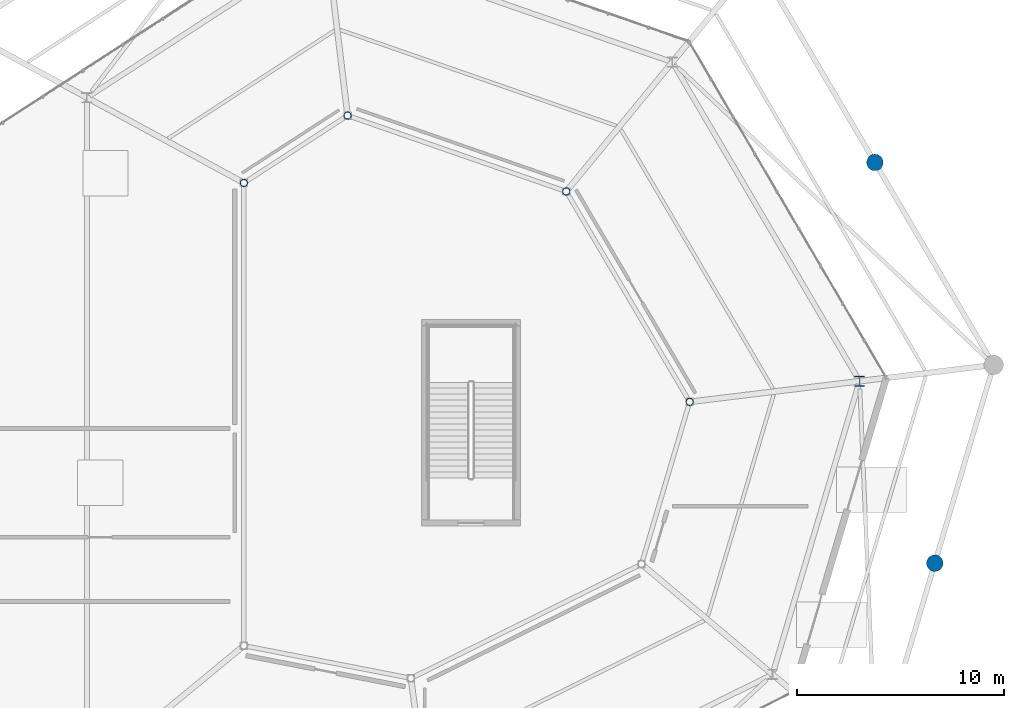
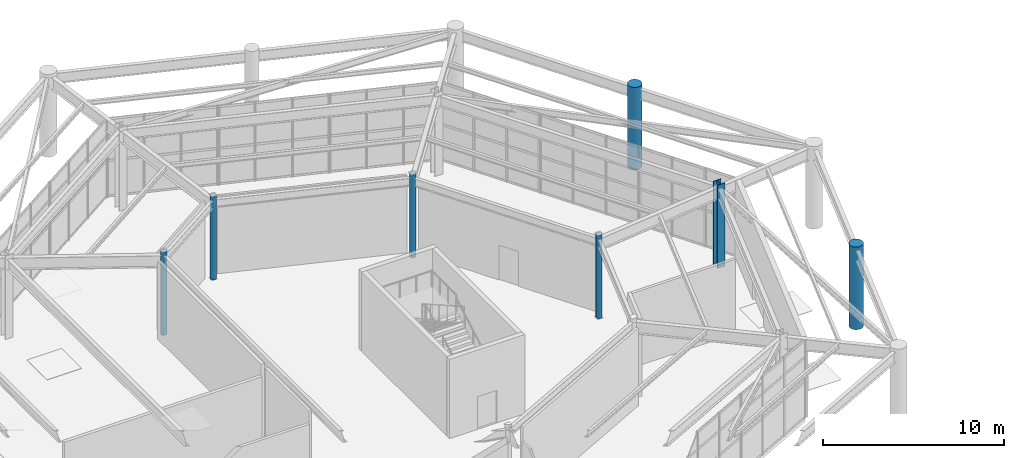
# One storey, part 16 of 70: 7 columns.
"""IFC4 building model written with IfcOpenShell, lengths in metres."""

from ifc_helpers import new_model, si_unit, direction, frame, origin, origin_2d, place, context, subcontext, project, spatial, circle, hollow_circle, i_section, extrude, material, material_profile, profile_set, type_object, element, save


model = new_model("IFC4")

# Units and contexts
model_context = context("Model", 3, precision=1e-05, world=origin(), true_north=direction((0.0, 1.0)))
body_context = subcontext(model_context, "Body", "Model", "MODEL_VIEW")
ifc_project = project(units=[si_unit("LENGTHUNIT", "METRE"), si_unit("AREAUNIT", "SQUARE_METRE"), si_unit("VOLUMEUNIT", "CUBIC_METRE"), si_unit("PLANEANGLEUNIT", "RADIAN"), si_unit("MASSUNIT", "GRAM", prefix="KILO")], contexts=[model_context])

# Site, building, storey
site_placement = place(None, origin())
site = spatial("IfcSite", under=ifc_project, at=site_placement, CompositionType="ELEMENT")
building_placement = place(site_placement, origin())
building = spatial("IfcBuilding", under=site, at=building_placement, Name="Sarnbrook Museum", CompositionType="ELEMENT")
storey_placement = place(building_placement, origin())
storey = spatial("IfcBuildingStorey", under=building, at=storey_placement, Name="L00", CompositionType="ELEMENT", Elevation=0.0)

# Columns
ifc_material_1 = material(Name="Structural Steel Hollow Section Grade C350L0 (AS/NZS 1163, fy = 350 MPa)", Category="steel")
ifc_material_profile_1 = material_profile(ifc_material_1, hollow_circle(Radius=0.177734375, WallThickness=0.0126953125, at=origin_2d()), Name="355.6x12.7CHS")
ifc_profile_set_1 = profile_set([ifc_material_profile_1], Name="Structural Steel Hollow Section Grade C350L0 (AS/NZS 1163, fy = 350 MPa)")
column_type_1 = type_object("IfcColumnType", Name="COL-CHS355", PredefinedType="COLUMN", material=ifc_profile_set_1)
for number, where, z_axis, x_axis, name in (
    (1, (154.382080078125, 86.210205078125, 0.0), (0.0, 0.0, 1.0), (1.0, 0.0, 0.0), "Crystal Gallery Feature Column R2-4 L00"),
    (2, (148.40576171875, 96.39599609375, 0.0), (0.0, 0.0, 1.0), (1.0, 0.0, 0.0), "Crystal Gallery Feature Column R2-5 L00"),
    (3, (137.822509765625, 100.07080078125, 0.0), (0.0, 0.0, 1.0), (1.0, 0.0, 0.0), "Crystal Gallery Feature Column R2-6 L00"),
    (4, (132.800048828125, 96.81201171875, 0.0), (0.0, 0.0, 1.0), (1.0, 0.0, 0.0), "Crystal Gallery Feature Column R2-7 L00"),
):
    element("IfcColumn", number, at=place(storey_placement, frame(where, z_axis=z_axis, x_axis=x_axis)), inside=storey, type_object=column_type_1, Name=name, PredefinedType="COLUMN", context=body_context, shape_type="SweptSolid", body=[
        extrude(hollow_circle(Radius=0.177734375, WallThickness=0.0126953125, at=origin_2d()), origin(), (0.0, 0.0, 1.0), 5.60009765625),
    ])
ifc_material_2 = material(Name="Concrete N50 (AS 3600, f'c = 50 MPa)", Category="concrete")
ifc_material_profile_2 = material_profile(ifc_material_2, circle(Radius=0.39990234375, at=origin_2d()), Name="DORIC D800")
ifc_profile_set_2 = profile_set([ifc_material_profile_2], Name="Concrete N50 (AS 3600, f'c = 50 MPa)")
column_type_2 = type_object("IfcColumnType", Name="COL-DORIC800", PredefinedType="COLUMN", material=ifc_profile_set_2)
for number, where, z_axis, x_axis, name in (
    (5, (166.25, 78.39990234375, 0.0), (0.0, 0.0, 1.0), (1.0, 0.0, 0.0), "Doric Colonnade Column M3 L00"),
    (6, (163.35009765625, 97.800048828125, 0.0), (0.0, 0.0, 1.0), (1.0, 0.0, 0.0), "Doric Colonnade Column M4 L00"),
):
    element("IfcColumn", number, at=place(storey_placement, frame(where, z_axis=z_axis, x_axis=x_axis)), inside=storey, type_object=column_type_2, Name=name, PredefinedType="COLUMN", context=body_context, shape_type="SweptSolid", body=[
        extrude(circle(Radius=0.39990234375, at=origin_2d()), origin(), (0.0, 0.0, 1.0), 5.56005859375),
    ])
ifc_material_3 = material(Name="Structural Steel Grade 350L0 (AS/NZS 3678, fy = 340 MPa for 20 < t <= 40 mm)", Category="steel")
ifc_material_profile_3 = material_profile(ifc_material_3, i_section(OverallWidth=0.5, OverallDepth=0.489990234375, WebThickness=0.028076171875, FlangeThickness=0.0400390625, at=origin_2d()), Name="500WC340")
ifc_profile_set_3 = profile_set([ifc_material_profile_3], Name="Structural Steel Grade 350L0 (AS/NZS 3678, fy = 340 MPa for 20 < t <= 40 mm)")
column_type_3 = type_object("IfcColumnType", Name="COL-WC500", PredefinedType="COLUMN", material=ifc_profile_set_3)
column_placement = place(storey_placement, frame((162.606689453125, 87.21044921875, 0.0), z_axis=(0.0, 0.0, 1.0), x_axis=(1.0, 0.0, 0.0)))
element("IfcColumn", 7, at=column_placement, inside=storey, type_object=column_type_3, Name="Crystal Hall Ring Column R1-4 L00", PredefinedType="COLUMN", context=body_context, shape_type="SweptSolid", body=[
    extrude(i_section(OverallWidth=0.5, OverallDepth=0.489990234375, WebThickness=0.028076171875, FlangeThickness=0.0400390625, at=origin_2d()), origin(), (0.0, 0.0, 1.0), 5.60009765625),
])

save(model, "model.ifc")
